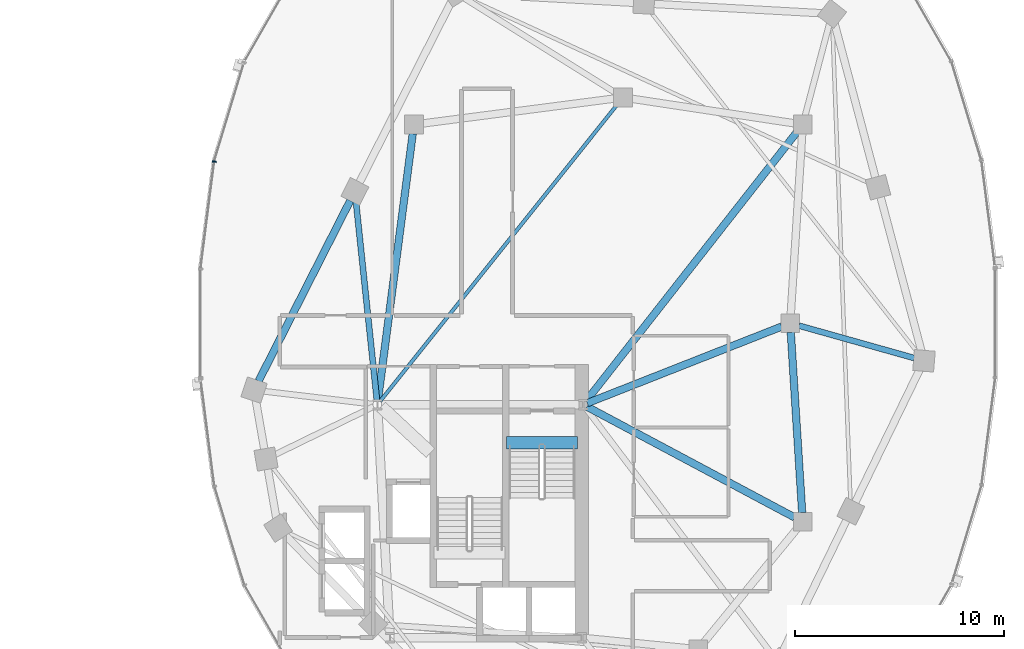
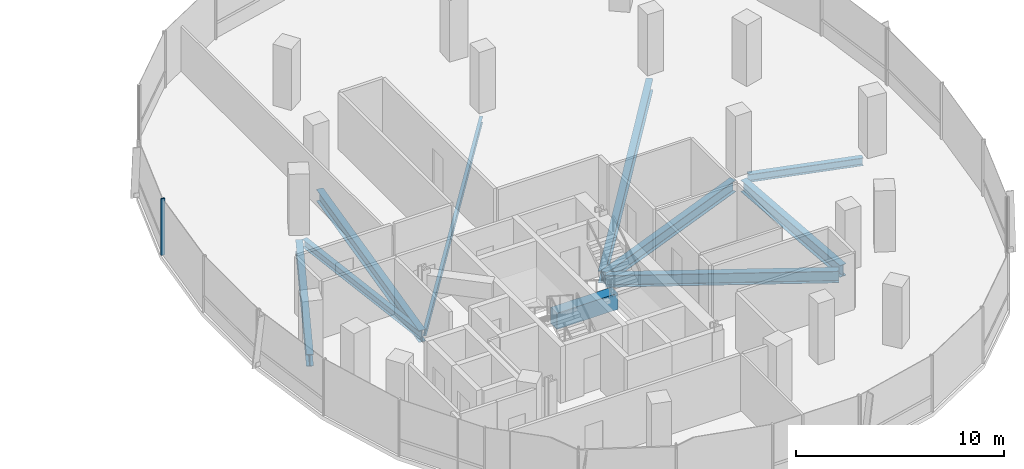
# One storey, part 7 of 21: 10 beams, 1 member, 1 element without a shape of its own.
"""IFC4 building model written with IfcOpenShell, lengths in metres."""

import ifcopenshell
import ifcopenshell.guid

model = None  # the IFC model being written
_history = None  # IfcOwnerHistory: only IFC2X3 demands one
_inside = {}  # id of a spatial element -> (the spatial element, [elements in it])
_under = {}  # id of a project, library or spatial element -> (it, [spatial elements below it])
_declared = {}  # id of a project -> (the project, [libraries it declares])
_typed = {}  # id of a type object -> (the type object, [elements of that type])
_made_of = {}  # id of a material, layer set ... -> (it, [elements and type objects made of it])


def new_model(schema):
    """Start an empty IFC model of exactly this schema.

    Asked for "IFC4X3", IfcOpenShell would pick the latest addendum, in which some entities
    have other attributes; the version numbers below select the first issue.
    IFC2X3 requires an IfcOwnerHistory on every rooted entity: one is made here for all.
    """
    global model, _history
    if schema == "IFC4X3":
        model = ifcopenshell.file(schema_version=(4, 3, 0, 0))
    else:
        model = ifcopenshell.file(schema=schema)
    _inside.clear()
    _under.clear()
    _declared.clear()
    _typed.clear()
    _made_of.clear()
    _history = None
    if model.schema == "IFC2X3":
        org = make("IfcOrganization", Name="unknown")
        user = make(
            "IfcPersonAndOrganization",
            ThePerson=make("IfcPerson", FamilyName="unknown"),
            TheOrganization=org,
        )
        app = make(
            "IfcApplication",
            ApplicationDeveloper=org,
            Version="unknown",
            ApplicationFullName="unknown",
            ApplicationIdentifier="unknown",
        )
        _history = make(
            "IfcOwnerHistory",
            OwningUser=user,
            OwningApplication=app,
            ChangeAction="ADDED",
            CreationDate=0,
        )
    return model


def make(cls, **values):
    """One entity of the class cls with the attributes given. An attribute that is None is left unset."""
    return model.create_entity(
        cls, **{name: value for name, value in values.items() if value is not None}
    )


def rooted(cls, **values):
    """An entity with a GlobalId (a new one), such as an element, a storey or a relation."""
    return make(cls, GlobalId=ifcopenshell.guid.new(), OwnerHistory=_history, **values)


def si_unit(unit_type, name, prefix=None):
    """IfcSIUnit, for example si_unit("LENGTHUNIT", "METRE", prefix="MILLI")."""
    return make("IfcSIUnit", UnitType=unit_type, Prefix=prefix, Name=name)


def assignment(units):
    """IfcUnitAssignment: the units of a project."""
    return None if units is None else make("IfcUnitAssignment", Units=units)


def point(xyz):
    """IfcCartesianPoint."""
    return None if xyz is None else make("IfcCartesianPoint", Coordinates=xyz)


def direction(xyz):
    """IfcDirection."""
    return None if xyz is None else make("IfcDirection", DirectionRatios=xyz)


def frame(location, z_axis=None, x_axis=None):
    """IfcAxis2Placement3D, a coordinate frame: its origin and axes. An axis left out is left unset."""
    return make(
        "IfcAxis2Placement3D",
        Location=point(location),
        Axis=direction(z_axis),
        RefDirection=direction(x_axis),
    )


def frame_2d(location, x_axis=None):
    """IfcAxis2Placement2D, a coordinate frame in the plane: its origin and x axis."""
    return make(
        "IfcAxis2Placement2D", Location=point(location), RefDirection=direction(x_axis)
    )


def origin():
    """The frame at (0, 0, 0) with its axes left unset."""
    return frame((0.0, 0.0, 0.0))


def origin_2d():
    """The frame at (0, 0) in the plane with its x axis left unset."""
    return frame_2d((0.0, 0.0))


def place(relative_to, where):
    """IfcLocalPlacement: puts the frame where relative to a parent placement (None: the world)."""
    return make(
        "IfcLocalPlacement", PlacementRelTo=relative_to, RelativePlacement=where
    )


def context(
    kind, dimensions, precision=None, world=None, true_north=None, identifier=None
):
    """IfcGeometricRepresentationContext, for example the 3D "Model" context."""
    return make(
        "IfcGeometricRepresentationContext",
        ContextIdentifier=identifier,
        ContextType=kind,
        CoordinateSpaceDimension=dimensions,
        Precision=precision,
        WorldCoordinateSystem=world,
        TrueNorth=true_north,
    )


def subcontext(parent, identifier, kind, view, scale=None):
    """IfcGeometricRepresentationSubContext, for example "Body" below "Model"."""
    return make(
        "IfcGeometricRepresentationSubContext",
        ContextIdentifier=identifier,
        ContextType=kind,
        ParentContext=parent,
        TargetScale=scale,
        TargetView=view,
    )


def project(units=None, contexts=None):
    """IfcProject with its units and contexts."""
    return rooted(
        "IfcProject",
        Name="project",
        RepresentationContexts=contexts,
        UnitsInContext=assignment(units),
    )


def spatial(cls, under=None, at=None, **own):
    """A site, building, storey or space (cls), placed at a placement, below another one or the project."""
    s = rooted(cls, ObjectPlacement=at, **own)
    if under is not None:
        _under.setdefault(under.id(), (under, []))[1].append(s)
    return s


def profile(cls, at=None, kind="AREA", **sizes):
    """A parametric profile (cls). Its sizes go by their IFC names, for example OverallWidth=200.0."""
    return make(cls, ProfileType=kind, Position=at, **sizes)


def rectangle(**sizes):
    """IfcRectangleProfileDef."""
    return profile("IfcRectangleProfileDef", **sizes)


def i_section(**sizes):
    """IfcIShapeProfileDef."""
    return profile("IfcIShapeProfileDef", **sizes)


def extrude(swept, where, along, depth):
    """IfcExtrudedAreaSolid: the profile swept, set in the frame where, extruded along a direction by depth."""
    return make(
        "IfcExtrudedAreaSolid",
        SweptArea=swept,
        Position=where,
        ExtrudedDirection=direction(along),
        Depth=depth,
    )


def shape(context_of_items, identifier, shape_type, items):
    """IfcShapeRepresentation: the items that make up one representation, for example the "Body"."""
    return make(
        "IfcShapeRepresentation",
        ContextOfItems=context_of_items,
        RepresentationIdentifier=identifier,
        RepresentationType=shape_type,
        Items=items,
    )


def material(Name=None, Category=None):
    """IfcMaterial."""
    return make("IfcMaterial", Name=Name, Category=Category)


def material_profile(
    of_material, cross_section, Name=None, Category=None, Priority=None
):
    """IfcMaterialProfile: a cross section and its material."""
    return make(
        "IfcMaterialProfile",
        Name=Name,
        Material=of_material,
        Profile=cross_section,
        Priority=Priority,
        Category=Category,
    )


def profile_set(profiles, Name=None, composite=None):
    """IfcMaterialProfileSet."""
    return make(
        "IfcMaterialProfileSet",
        Name=Name,
        MaterialProfiles=profiles,
        CompositeProfile=composite,
    )


def made_of(thing, what):
    """Note that an element or type object is made of a material, layer set ...; save() writes the relation."""
    if what is not None:
        _made_of.setdefault(what.id(), (what, []))[1].append(thing)
    return thing


def type_object(cls, material=None, **own):
    """A type object (cls), such as IfcWallType, which elements share."""
    return made_of(rooted(cls, **own), material)


def element(
    cls,
    number,
    at=None,
    inside=None,
    cuts=None,
    type_object=None,
    material=None,
    context=None,
    identifier="Body",
    shape_type=None,
    held_by="IfcProductDefinitionShape",
    body=None,
    shapes=None,
    **own,
):
    """One element of the class cls, such as IfcWall. Its Tag is "e" and its number.

    at: its placement. inside: the storey or other place that contains it. cuts: it is an
    opening in that element (IfcRelVoidsElement). A single representation is given by context,
    identifier, shape_type and body (its items); several are given by shapes. held_by: the class
    of the entity that holds the representations. save() writes the other relations.
    """
    e = rooted(cls, Tag="e%d" % number, ObjectPlacement=at, **own)
    if body is not None:
        shapes = [shape(context, identifier, shape_type, body)]
    if shapes is not None:
        e.Representation = make(held_by, Representations=shapes)
    if inside is not None:
        _inside.setdefault(inside.id(), (inside, []))[1].append(e)
    if cuts is not None:
        rooted(
            "IfcRelVoidsElement", RelatingBuildingElement=cuts, RelatedOpeningElement=e
        )
    if type_object is not None:
        _typed.setdefault(type_object.id(), (type_object, []))[1].append(e)
    return made_of(e, material)


def aggregate(whole, parts):
    """IfcRelAggregates: a whole, such as a stair, and the parts it consists of."""
    return rooted("IfcRelAggregates", RelatingObject=whole, RelatedObjects=parts)


def save(model, path):
    """Write the relations noted so far, then the file.

    IfcRelAggregates (storeys below a building ...), IfcRelContainedInSpatialStructure (elements
    in a storey), IfcRelDefinesByType, IfcRelAssociatesMaterial and IfcRelDeclares: one each for
    every whole, place, type object, material and project.
    """
    for whole, parts in _under.values():
        aggregate(whole, parts)
    for where, things in _inside.values():
        rooted(
            "IfcRelContainedInSpatialStructure",
            RelatedElements=things,
            RelatingStructure=where,
        )
    for kind, things in _typed.values():
        rooted("IfcRelDefinesByType", RelatedObjects=things, RelatingType=kind)
    for what, things in _made_of.values():
        rooted("IfcRelAssociatesMaterial", RelatedObjects=things, RelatingMaterial=what)
    for by, libraries in _declared.values():
        rooted("IfcRelDeclares", RelatingContext=by, RelatedDefinitions=libraries)
    model.write(path)


model = new_model("IFC4")

# Units and contexts
model_context = context("Model", 3, precision=1e-05, world=origin(), true_north=direction((0.0, 1.0)))
body_context = subcontext(model_context, "Body", "Model", "MODEL_VIEW")
ifc_project = project(units=[si_unit("LENGTHUNIT", "METRE"), si_unit("AREAUNIT", "SQUARE_METRE"), si_unit("VOLUMEUNIT", "CUBIC_METRE"), si_unit("PLANEANGLEUNIT", "RADIAN"), si_unit("MASSUNIT", "GRAM", prefix="KILO"), si_unit("THERMODYNAMICTEMPERATUREUNIT", "KELVIN"), si_unit("POWERUNIT", "WATT")], contexts=[model_context])

# Site, building, storey
site_placement = place(None, origin())
site = spatial("IfcSite", under=ifc_project, at=site_placement, CompositionType="ELEMENT")
building_placement = place(site_placement, origin())
building = spatial("IfcBuilding", under=site, at=building_placement, Name="Cundina Bronze Exchange", CompositionType="ELEMENT")
storey_placement = place(building_placement, frame((0.0, 0.0, 183.60009765625)))
storey = spatial("IfcBuildingStorey", under=building, at=storey_placement, Name="L48", CompositionType="ELEMENT", Elevation=183.60009765625)

# Beams
ifc_material_1 = material(Name="Concrete C60/75", Category="concrete")
ifc_material_profile_1 = material_profile(ifc_material_1, rectangle(XDim=0.60009765625, YDim=0.949951171875, at=origin_2d()), Name="RC600X950", Category="concrete")
ifc_profile_set_1 = profile_set([ifc_material_profile_1], Name="Concrete C60/75")
beam_type_1 = type_object("IfcBeamType", Name="BM-COUP-RC950", PredefinedType="LINTEL", material=ifc_profile_set_1)
beam_1_placement = place(storey_placement, frame((27.6201171875, -5.719970703125, -0.47509765625), z_axis=(1.0, 0.0, 0.0), x_axis=(0.0, 1.0, 0.0)))
element("IfcBeam", 1, at=beam_1_placement, inside=storey, type_object=beam_type_1, Name="L48 Stair E1 Landing Header Beam", PredefinedType="LINTEL", context=body_context, shape_type="SweptSolid", body=[
    extrude(rectangle(XDim=0.60009765625, YDim=0.949951171875, at=origin_2d()), origin(), (0.0, 0.0, 1.0), 3.39990234375),
])
ifc_material_2 = material(Name="Steel ASTM A992 Grade 50", Category="steel")
ifc_material_profile_2 = material_profile(ifc_material_2, i_section(OverallWidth=0.280029296875, OverallDepth=0.462890625, WebThickness=0.0107421875, FlangeThickness=0.017333984375, FilletRadius=0.011962890625, at=origin_2d()), Name="W18X76", Category="steel")
ifc_profile_set_2 = profile_set([ifc_material_profile_2], Name="Steel ASTM A992 Grade 50")
beam_type_2 = type_object("IfcBeamType", Name="BM-FLR-W18A", PredefinedType="BEAM", material=ifc_profile_set_2)
beam_2_placement = place(storey_placement, frame((41.62158203125, -0.11865234375, -0.4716796875), z_axis=(0.962649202648, -0.270751754643, 0.0), x_axis=(0.270751754643, 0.962649202648, 0.0)))
element("IfcBeam", 2, at=beam_2_placement, inside=storey, type_object=beam_type_2, Name="L48 Leg E Chordal Floor Beam 08", PredefinedType="BEAM", context=body_context, shape_type="SweptSolid", body=[
    extrude(i_section(OverallWidth=0.280029296875, OverallDepth=0.462890625, WebThickness=0.0107421875, FlangeThickness=0.017333984375, FilletRadius=0.011962890625, at=origin_2d()), origin(), (0.0, 0.0, 1.0), 5.72216796875),
])
beam_3_placement = place(storey_placement, frame((21.4287109375, -3.697021484375, -0.4716796875), z_axis=(-0.104834931651, 0.9944896365, 0.0), x_axis=(-0.9944896365, -0.104834931651, 0.0)))
element("IfcBeam", 3, at=beam_3_placement, inside=storey, type_object=beam_type_2, Name="L48 Leg E Chordal Floor Beam 13", PredefinedType="BEAM", context=body_context, shape_type="SweptSolid", body=[
    extrude(i_section(OverallWidth=0.280029296875, OverallDepth=0.462890625, WebThickness=0.0107421875, FlangeThickness=0.017333984375, FilletRadius=0.011962890625, at=origin_2d()), origin(), (0.0, 0.0, 1.0), 9.564453125),
])
ifc_material_profile_3 = material_profile(ifc_material_2, i_section(OverallWidth=0.172119140625, OverallDepth=0.35791015625, WebThickness=0.0078125, FlangeThickness=0.01318359375, FilletRadius=0.010009765625, at=origin_2d()), Name="W14X38", Category="steel")
ifc_profile_set_3 = profile_set([ifc_material_profile_3], Name="Steel ASTM A992 Grade 50")
beam_type_3 = type_object("IfcBeamType", Name="BM-JST-W14", PredefinedType="JOIST", material=ifc_profile_set_3)
beam_4_placement = place(storey_placement, frame((21.577392578125, -3.740478515625, -0.419189453125), z_axis=(0.624370675223, 0.781128196854, 0.0), x_axis=(-0.781128196854, 0.624370675223, 0.0)))
element("IfcBeam", 4, at=beam_4_placement, inside=storey, type_object=beam_type_3, Name="L48 E Interior Core-to-Ring Joist 2", PredefinedType="JOIST", context=body_context, shape_type="SweptSolid", body=[
    extrude(i_section(OverallWidth=0.172119140625, OverallDepth=0.35791015625, WebThickness=0.0078125, FlangeThickness=0.01318359375, FilletRadius=0.010009765625, at=origin_2d()), origin(), (0.0, 0.0, 1.0), 18.177001953125),
])
ifc_material_profile_4 = material_profile(ifc_material_2, i_section(OverallWidth=0.35498046875, OverallDepth=0.695068359375, WebThickness=0.015380859375, FlangeThickness=0.02490234375, FilletRadius=0.01806640625, at=origin_2d()), Name="W27X146", Category="steel")
ifc_profile_set_4 = profile_set([ifc_material_profile_4], Name="Steel ASTM A992 Grade 50")
beam_type_4 = type_object("IfcBeamType", Name="BM-RING-W27", PredefinedType="USERDEFINED", material=ifc_profile_set_4)
beam_5_placement = place(storey_placement, frame((41.7724609375, -9.06298828125, -0.587646484375), z_axis=(-0.063046519736, 0.998010589297, 0.0), x_axis=(-0.998010589297, -0.063046519736, 0.0)))
element("IfcBeam", 5, at=beam_5_placement, inside=storey, type_object=beam_type_4, Name="L48 E Inner Structural Ring Girder 03", ObjectType="GIRDER", PredefinedType="USERDEFINED", context=body_context, shape_type="SweptSolid", body=[
    extrude(i_section(OverallWidth=0.35498046875, OverallDepth=0.695068359375, WebThickness=0.015380859375, FlangeThickness=0.02490234375, FilletRadius=0.01806640625, at=origin_2d()), origin(), (0.0, 0.0, 1.0), 8.64306640625),
])
beam_6_placement = place(storey_placement, frame((23.143310546875, 9.065673828125, -0.587646484375), z_axis=(-0.129507030047, -0.991578503785, 0.0), x_axis=(0.991578503785, -0.129507030047, 0.0)))
element("IfcBeam", 6, at=beam_6_placement, inside=storey, type_object=beam_type_4, Name="L48 E Inner Structural Ring Girder 07", ObjectType="GIRDER", PredefinedType="USERDEFINED", context=body_context, shape_type="SweptSolid", body=[
    extrude(i_section(OverallWidth=0.35498046875, OverallDepth=0.695068359375, WebThickness=0.015380859375, FlangeThickness=0.02490234375, FilletRadius=0.01806640625, at=origin_2d()), origin(), (0.0, 0.0, 1.0), 12.871826171875),
])
beam_7_placement = place(storey_placement, frame((31.48974609375, -3.8251953125, -0.587646484375), z_axis=(0.930405617189, 0.36653156413, 0.0), x_axis=(-0.36653156413, 0.930405617189, 0.0)))
element("IfcBeam", 7, at=beam_7_placement, inside=storey, type_object=beam_type_4, Name="L48 E Core-to-Waist Tie Beam 1", ObjectType="GIRDER", PredefinedType="USERDEFINED", context=body_context, shape_type="SweptSolid", body=[
    extrude(i_section(OverallWidth=0.35498046875, OverallDepth=0.695068359375, WebThickness=0.015380859375, FlangeThickness=0.02490234375, FilletRadius=0.01806640625, at=origin_2d()), origin(), (0.0, 0.0, 1.0), 9.99853515625),
])
beam_8_placement = place(storey_placement, frame((31.47998046875, -3.99609375, -0.587646484375), z_axis=(0.88235534237, -0.470583733028, 0.0), x_axis=(0.470583733028, 0.88235534237, 0.0)))
element("IfcBeam", 8, at=beam_8_placement, inside=storey, type_object=beam_type_4, Name="L48 E Core-to-Waist Tie Beam 2", ObjectType="GIRDER", PredefinedType="USERDEFINED", context=body_context, shape_type="SweptSolid", body=[
    extrude(i_section(OverallWidth=0.35498046875, OverallDepth=0.695068359375, WebThickness=0.015380859375, FlangeThickness=0.02490234375, FilletRadius=0.01806640625, at=origin_2d()), origin(), (0.0, 0.0, 1.0), 11.258056640625),
])
beam_9_placement = place(storey_placement, frame((31.42578125, -3.739501953125, -0.587646484375), z_axis=(0.616779109924, 0.787136283982, 0.0), x_axis=(-0.787136283982, 0.616779109924, 0.0)))
element("IfcBeam", 9, at=beam_9_placement, inside=storey, type_object=beam_type_4, Name="L48 E Core-to-Waist Tie Beam 3", ObjectType="GIRDER", PredefinedType="USERDEFINED", context=body_context, shape_type="SweptSolid", body=[
    extrude(i_section(OverallWidth=0.35498046875, OverallDepth=0.695068359375, WebThickness=0.015380859375, FlangeThickness=0.02490234375, FilletRadius=0.01806640625, at=origin_2d()), origin(), (0.0, 0.0, 1.0), 16.3818359375),
])
beam_10_placement = place(storey_placement, frame((20.154052734375, 5.864990234375, -0.587646484375), z_axis=(-0.452834585354, -0.891594548159, 0.0), x_axis=(0.891594548159, -0.452834585354, 0.0)))
element("IfcBeam", 10, at=beam_10_placement, inside=storey, type_object=beam_type_4, Name="L48 E Perimeter Ring Girder 13", ObjectType="GIRDER", PredefinedType="USERDEFINED", context=body_context, shape_type="SweptSolid", body=[
    extrude(i_section(OverallWidth=0.35498046875, OverallDepth=0.695068359375, WebThickness=0.015380859375, FlangeThickness=0.02490234375, FilletRadius=0.01806640625, at=origin_2d()), origin(), (0.0, 0.0, 1.0), 9.67919921875),
])

# Curtain wall, member
ifc_material_3 = material(Name="Anodised Bronze Aluminium 6063-T6", Category="aluminium")
curtain_wall_type = type_object("IfcCurtainWallType", Name="CWS-WST-PIN", PredefinedType="NOTDEFINED", material=ifc_material_3)
curtain_wall_placement = place(storey_placement, origin())
curtain_wall = element("IfcCurtainWall", 11, at=curtain_wall_placement, inside=storey, type_object=curtain_wall_type, Name="L48 CW-04 Curtain Wall Run CWR-L48-E2", PredefinedType="NOTDEFINED")
ifc_material_profile_5 = material_profile(ifc_material_3, rectangle(XDim=0.070068359375, YDim=0.18994140625, at=origin_2d()), Name="AL70X190", Category="aluminium")
ifc_profile_set_5 = profile_set([ifc_material_profile_5], Name="Anodised Bronze Aluminium 6063-T6")
member_type = type_object("IfcMemberType", Name="CWM-MUL-190", PredefinedType="MULLION", material=ifc_profile_set_5)
member_placement = place(storey_placement, frame((13.642822265625, 7.731689453125, 0.0), z_axis=(0.0, 0.0, 1.0), x_axis=(-0.126545236492, -0.991960837494, 0.0)))
member = element("IfcMember", 12, at=member_placement, type_object=member_type, Name="CW-04 Mullion 6", PredefinedType="MULLION", context=body_context, shape_type="SweptSolid", body=[
    extrude(rectangle(XDim=0.070068359375, YDim=0.18994140625, at=origin_2d()), origin(), (0.0, 0.0, 1.0), 3.31982421875),
])
aggregate(curtain_wall, [member])

save(model, "model.ifc")
